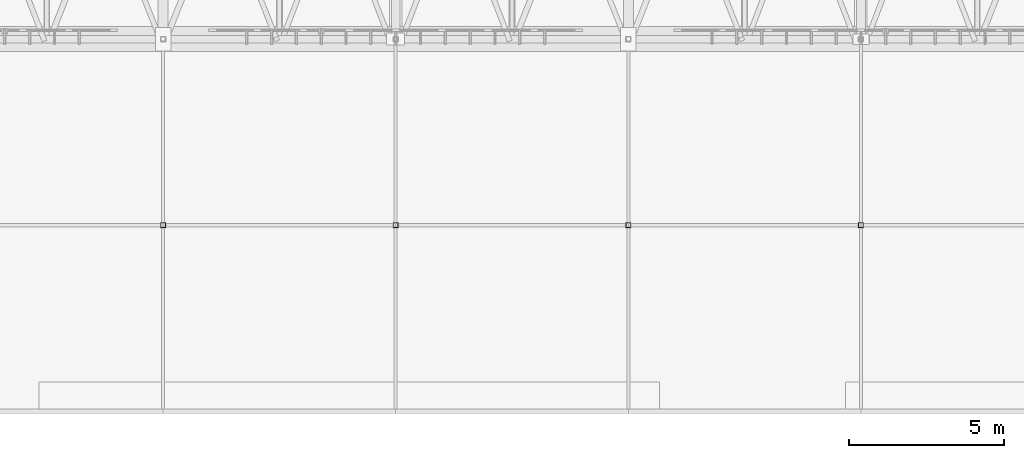
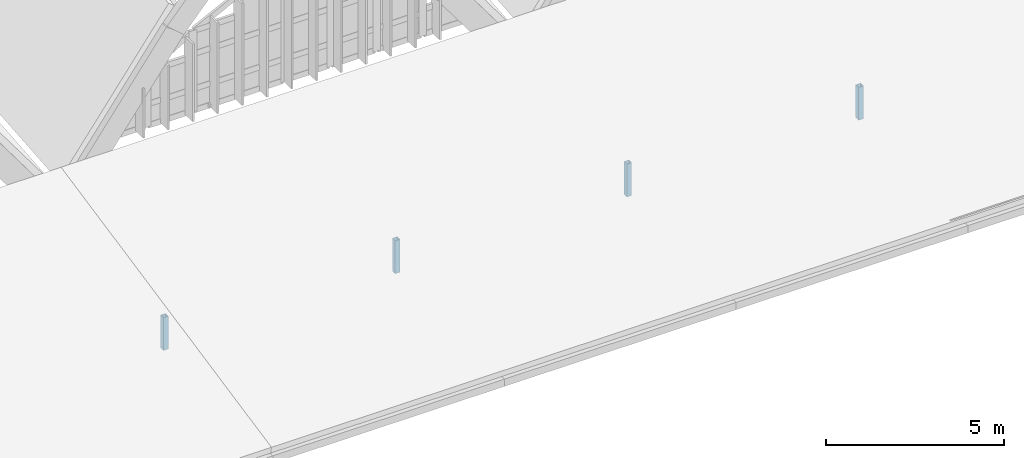
# One storey, part 4 of 93: 4 columns.
"""IFC4 building model written with IfcOpenShell, lengths in metres."""

from ifc_helpers import new_model, si_unit, direction, frame, origin, origin_2d, place, context, subcontext, project, spatial, hollow_rectangle, extrude, material, material_profile, profile_set, type_object, element, save


model = new_model("IFC4")

# Units and contexts
model_context = context("Model", 3, precision=1e-05, world=origin(), true_north=direction((0.0, 1.0)))
body_context = subcontext(model_context, "Body", "Model", "MODEL_VIEW")
ifc_project = project(units=[si_unit("LENGTHUNIT", "METRE"), si_unit("AREAUNIT", "SQUARE_METRE"), si_unit("VOLUMEUNIT", "CUBIC_METRE"), si_unit("PLANEANGLEUNIT", "RADIAN"), si_unit("MASSUNIT", "GRAM", prefix="KILO")], contexts=[model_context])

# Site, building, storey
site_placement = place(None, origin())
site = spatial("IfcSite", under=ifc_project, at=site_placement, CompositionType="ELEMENT")
building_placement = place(site_placement, origin())
building = spatial("IfcBuilding", under=site, at=building_placement, Name="Vourika Railside Aquatics Centre", CompositionType="ELEMENT")
storey_placement = place(building_placement, frame((0.0, 0.0, 21.89990234375)))
storey = spatial("IfcBuildingStorey", under=building, at=storey_placement, Name="Roof", CompositionType="ELEMENT", Elevation=21.89990234375)

# Columns
ifc_material = material(Name="Steel S355J2", Category="steel")
ifc_material_profile = material_profile(ifc_material, hollow_rectangle(XDim=0.159912109375, YDim=0.159912109375, WallThickness=0.008056640625, at=origin_2d()), Name="SHS 160x160x8")
ifc_profile_set = profile_set([ifc_material_profile], Name="Steel S355J2")
column_type = type_object("IfcColumnType", Name="COL-STL-SHS160", PredefinedType="COLUMN", material=ifc_profile_set)
for number, where, z_axis, x_axis, name in (
    (1, (96.0, 6.0, -12.599853515625), (0.0, 0.0, 1.0), (1.0, 0.0, 0.0), "Changing Roof Mid-Span Post (96.0,6.0)"),
    (2, (103.5, 6.0, -12.599853515625), (0.0, 0.0, 1.0), (1.0, 0.0, 0.0), "Changing Roof Mid-Span Post (103.5,6.0)"),
    (3, (111.0, 6.0, -12.599853515625), (0.0, 0.0, 1.0), (1.0, 0.0, 0.0), "Changing Roof Mid-Span Post (111.0,6.0)"),
    (4, (118.5, 6.0, -12.599853515625), (0.0, 0.0, 1.0), (1.0, 0.0, 0.0), "Changing Roof Mid-Span Post (118.5,6.0)"),
):
    element("IfcColumn", number, at=place(storey_placement, frame(where, z_axis=z_axis, x_axis=x_axis)), inside=storey, type_object=column_type, Name=name, PredefinedType="COLUMN", context=body_context, shape_type="SweptSolid", body=[
        extrude(hollow_rectangle(XDim=0.159912109375, YDim=0.159912109375, WallThickness=0.008056640625, at=origin_2d()), origin(), (0.0, 0.0, 1.0), 1.125),
    ])

save(model, "model.ifc")
